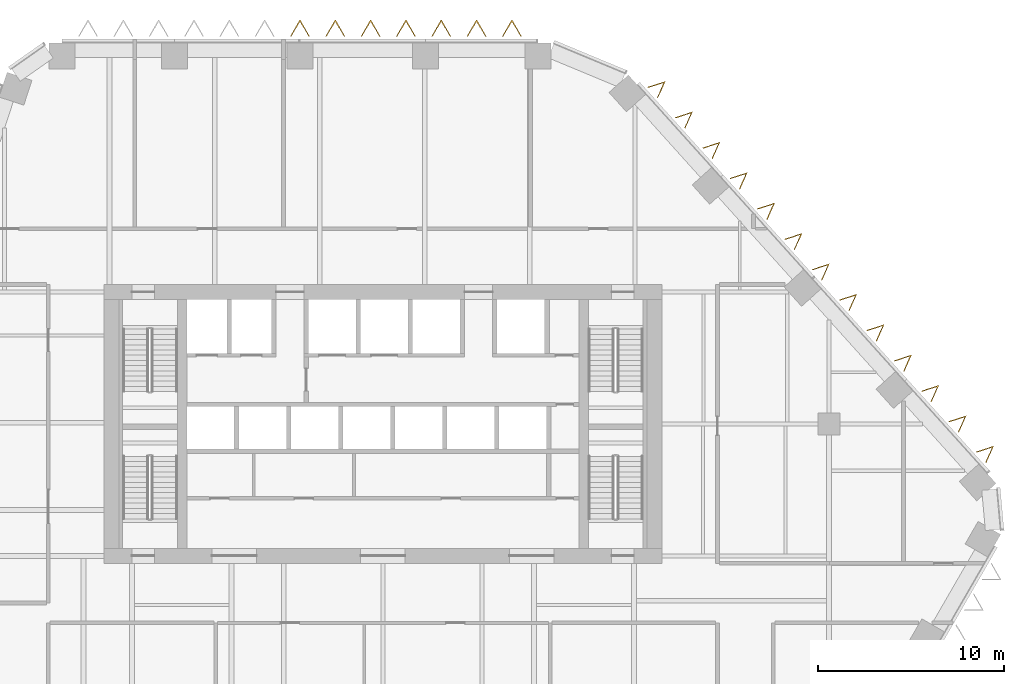
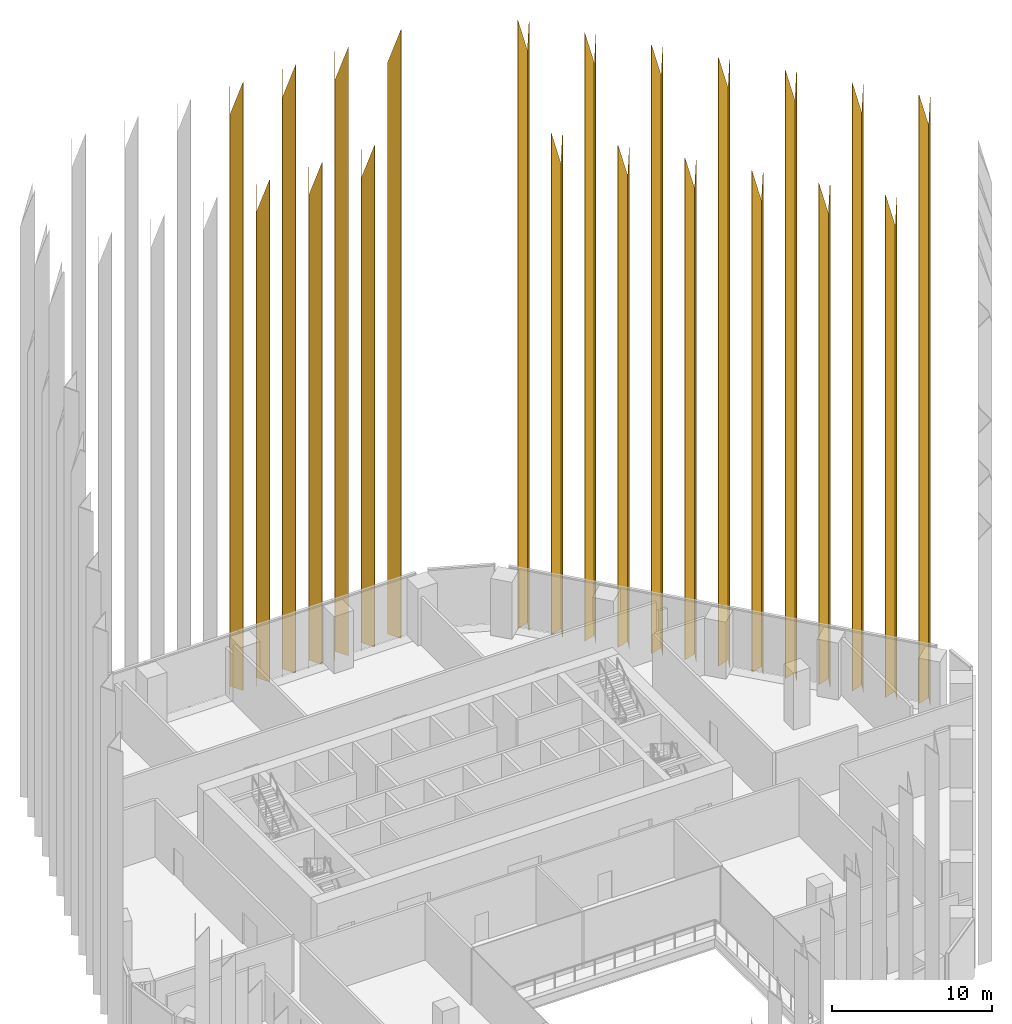
# One storey, part 18 of 18: 20 coverings.
"""IFC4 building model written with IfcOpenShell, lengths in metres."""

from ifc_helpers import new_model, si_unit, direction, frame, origin, place, context, subcontext, project, spatial, polyline, outline, faceted_brep, material, material_profile, profile_set, type_object, element, save


model = new_model("IFC4")

# Units and contexts
model_context = context("Model", 3, precision=1e-05, world=origin(), true_north=direction((0.0, 1.0)))
body_context = subcontext(model_context, "Body", "Model", "MODEL_VIEW")
ifc_project = project(units=[si_unit("LENGTHUNIT", "METRE"), si_unit("AREAUNIT", "SQUARE_METRE"), si_unit("VOLUMEUNIT", "CUBIC_METRE"), si_unit("PLANEANGLEUNIT", "RADIAN"), si_unit("MASSUNIT", "GRAM", prefix="KILO")], contexts=[model_context])

# Site, building, storey
site_placement = place(None, origin())
site = spatial("IfcSite", under=ifc_project, at=site_placement, CompositionType="ELEMENT")
building_placement = place(site_placement, origin())
building = spatial("IfcBuilding", under=site, at=building_placement, Name="Isthmus Gate Tower", CompositionType="ELEMENT")
storey_placement = place(building_placement, frame((0.0, 0.0, 166.300048828125)))
storey = spatial("IfcBuildingStorey", under=building, at=storey_placement, Name="L41", CompositionType="ELEMENT", Elevation=166.300048828125)

# Coverings
ifc_material_1 = material(Name="Structural steel ASTM A572 Gr 50, white paint system", Category="steel")
ifc_material_profile_1 = material_profile(ifc_material_1, outline(polyline([(0.0, -0.391845703125), (0.8798828125, 0.0), (0.0, 0.391845703125), (0.0, 0.35888671875), (0.80615234375, 0.0), (0.0, -0.35888671875), (0.0, -0.391845703125)])), Name="V880")
ifc_profile_set_1 = profile_set([ifc_material_profile_1], Name="Structural steel ASTM A572 Gr 50, white paint system")
covering_type_1 = type_object("IfcCoveringType", Name="FIN V 880 DEEP", PredefinedType="CLADDING", material=ifc_profile_set_1)
covering_1_placement = place(storey_placement, frame((0.0, 0.0, -166.300048828125)))
element("IfcCovering", 1, at=covering_1_placement, inside=storey, type_object=covering_type_1, Name="FIN", ObjectType="FIN", PredefinedType="CLADDING", context=body_context, shape_type="Brep", body=[
    faceted_brep([(32.425537109375, 5.44189453125, 165.89990234375), (32.784423828125, 6.248291015625, 165.89990234375), (31.945068359375, 5.9755859375, 165.89990234375), (31.923095703125, 6.0, 165.89990234375), (32.83935546875, 6.297607421875, 165.89990234375), (32.447509765625, 5.41748046875, 165.89990234375), (32.447509765625, 5.41748046875, 212.39990234375), (32.83935546875, 6.297607421875, 209.39990234375), (31.923095703125, 6.0, 212.39990234375), (31.945068359375, 5.9755859375, 212.39990234375), (32.784423828125, 6.248291015625, 209.6513671875), (32.425537109375, 5.44189453125, 212.39990234375)], [[[0, 1, 2, 3, 4, 5]], [[6, 7, 8, 9, 10, 11]], [[5, 4, 7, 6]], [[4, 3, 8, 7]], [[3, 2, 9, 8]], [[2, 1, 10, 9]], [[1, 0, 11, 10]], [[0, 5, 6, 11]]]),
])
covering_2_placement = place(storey_placement, frame((0.0, 0.0, -166.300048828125)))
element("IfcCovering", 2, at=covering_2_placement, inside=storey, type_object=covering_type_1, Name="FIN", ObjectType="FIN", PredefinedType="CLADDING", context=body_context, shape_type="Brep", body=[
    faceted_brep([(30.953369140625, 7.07666015625, 165.89990234375), (31.312255859375, 7.883056640625, 165.89990234375), (30.472900390625, 7.6103515625, 165.89990234375), (30.450927734375, 7.634765625, 165.89990234375), (31.3671875, 7.932373046875, 165.89990234375), (30.975341796875, 7.05224609375, 165.89990234375), (30.975341796875, 7.05224609375, 204.25), (31.3671875, 7.932373046875, 201.25), (30.450927734375, 7.634765625, 204.25), (30.472900390625, 7.6103515625, 204.25), (31.312255859375, 7.883056640625, 201.50146484375), (30.953369140625, 7.07666015625, 204.25)], [[[0, 1, 2, 3, 4, 5]], [[6, 7, 8, 9, 10, 11]], [[5, 4, 7, 6]], [[4, 3, 8, 7]], [[3, 2, 9, 8]], [[2, 1, 10, 9]], [[1, 0, 11, 10]], [[0, 5, 6, 11]]]),
])
covering_3_placement = place(storey_placement, frame((0.0, 0.0, -166.300048828125)))
element("IfcCovering", 3, at=covering_3_placement, inside=storey, type_object=covering_type_1, Name="FIN", ObjectType="FIN", PredefinedType="CLADDING", context=body_context, shape_type="Brep", body=[
    faceted_brep([(29.481201171875, 8.711669921875, 165.89990234375), (29.840087890625, 9.51806640625, 165.89990234375), (29.000732421875, 9.245361328125, 165.89990234375), (28.978759765625, 9.269775390625, 165.89990234375), (29.89501953125, 9.5673828125, 165.89990234375), (29.503173828125, 8.687255859375, 165.89990234375), (29.503173828125, 8.687255859375, 212.39990234375), (29.89501953125, 9.5673828125, 209.39990234375), (28.978759765625, 9.269775390625, 212.39990234375), (29.000732421875, 9.245361328125, 212.39990234375), (29.840087890625, 9.51806640625, 209.6513671875), (29.481201171875, 8.711669921875, 212.39990234375)], [[[0, 1, 2, 3, 4, 5]], [[6, 7, 8, 9, 10, 11]], [[5, 4, 7, 6]], [[4, 3, 8, 7]], [[3, 2, 9, 8]], [[2, 1, 10, 9]], [[1, 0, 11, 10]], [[0, 5, 6, 11]]]),
])
covering_4_placement = place(storey_placement, frame((0.0, 0.0, -166.300048828125)))
element("IfcCovering", 4, at=covering_4_placement, inside=storey, type_object=covering_type_1, Name="FIN", ObjectType="FIN", PredefinedType="CLADDING", context=body_context, shape_type="Brep", body=[
    faceted_brep([(28.00927734375, 10.346435546875, 165.89990234375), (28.3681640625, 11.15283203125, 165.89990234375), (27.52880859375, 10.880126953125, 165.89990234375), (27.5068359375, 10.904541015625, 165.89990234375), (28.423095703125, 11.2021484375, 165.89990234375), (28.03125, 10.322021484375, 165.89990234375), (28.03125, 10.322021484375, 204.25), (28.423095703125, 11.2021484375, 201.25), (27.5068359375, 10.904541015625, 204.25), (27.52880859375, 10.880126953125, 204.25), (28.3681640625, 11.15283203125, 201.50146484375), (28.00927734375, 10.346435546875, 204.25)], [[[0, 1, 2, 3, 4, 5]], [[6, 7, 8, 9, 10, 11]], [[5, 4, 7, 6]], [[4, 3, 8, 7]], [[3, 2, 9, 8]], [[2, 1, 10, 9]], [[1, 0, 11, 10]], [[0, 5, 6, 11]]]),
])
covering_5_placement = place(storey_placement, frame((0.0, 0.0, -166.300048828125)))
element("IfcCovering", 5, at=covering_5_placement, inside=storey, type_object=covering_type_1, Name="FIN", ObjectType="FIN", PredefinedType="CLADDING", context=body_context, shape_type="Brep", body=[
    faceted_brep([(26.537109375, 11.9814453125, 165.89990234375), (26.89599609375, 12.787841796875, 165.89990234375), (26.056640625, 12.51513671875, 165.89990234375), (26.03466796875, 12.53955078125, 165.89990234375), (26.950927734375, 12.837158203125, 165.89990234375), (26.55908203125, 11.95703125, 165.89990234375), (26.55908203125, 11.95703125, 212.39990234375), (26.950927734375, 12.837158203125, 209.39990234375), (26.03466796875, 12.53955078125, 212.39990234375), (26.056640625, 12.51513671875, 212.39990234375), (26.89599609375, 12.787841796875, 209.6513671875), (26.537109375, 11.9814453125, 212.39990234375)], [[[0, 1, 2, 3, 4, 5]], [[6, 7, 8, 9, 10, 11]], [[5, 4, 7, 6]], [[4, 3, 8, 7]], [[3, 2, 9, 8]], [[2, 1, 10, 9]], [[1, 0, 11, 10]], [[0, 5, 6, 11]]]),
])
covering_6_placement = place(storey_placement, frame((0.0, 0.0, -166.300048828125)))
element("IfcCovering", 6, at=covering_6_placement, inside=storey, type_object=covering_type_1, Name="FIN", ObjectType="FIN", PredefinedType="CLADDING", context=body_context, shape_type="Brep", body=[
    faceted_brep([(25.06494140625, 13.616455078125, 165.89990234375), (25.423828125, 14.4228515625, 165.89990234375), (24.58447265625, 14.150146484375, 165.89990234375), (24.5625, 14.174560546875, 165.89990234375), (25.478759765625, 14.47216796875, 165.89990234375), (25.0869140625, 13.592041015625, 165.89990234375), (25.0869140625, 13.592041015625, 204.25), (25.478759765625, 14.47216796875, 201.25), (24.5625, 14.174560546875, 204.25), (24.58447265625, 14.150146484375, 204.25), (25.423828125, 14.4228515625, 201.50146484375), (25.06494140625, 13.616455078125, 204.25)], [[[0, 1, 2, 3, 4, 5]], [[6, 7, 8, 9, 10, 11]], [[5, 4, 7, 6]], [[4, 3, 8, 7]], [[3, 2, 9, 8]], [[2, 1, 10, 9]], [[1, 0, 11, 10]], [[0, 5, 6, 11]]]),
])
covering_7_placement = place(storey_placement, frame((0.0, 0.0, -166.300048828125)))
element("IfcCovering", 7, at=covering_7_placement, inside=storey, type_object=covering_type_1, Name="FIN", ObjectType="FIN", PredefinedType="CLADDING", context=body_context, shape_type="Brep", body=[
    faceted_brep([(23.593017578125, 15.251220703125, 165.89990234375), (23.951904296875, 16.0576171875, 165.89990234375), (23.112548828125, 15.784912109375, 165.89990234375), (23.090576171875, 15.809326171875, 165.89990234375), (24.0068359375, 16.10693359375, 165.89990234375), (23.614990234375, 15.226806640625, 165.89990234375), (23.614990234375, 15.226806640625, 212.39990234375), (24.0068359375, 16.10693359375, 209.39990234375), (23.090576171875, 15.809326171875, 212.39990234375), (23.112548828125, 15.784912109375, 212.39990234375), (23.951904296875, 16.0576171875, 209.6513671875), (23.593017578125, 15.251220703125, 212.39990234375)], [[[0, 1, 2, 3, 4, 5]], [[6, 7, 8, 9, 10, 11]], [[5, 4, 7, 6]], [[4, 3, 8, 7]], [[3, 2, 9, 8]], [[2, 1, 10, 9]], [[1, 0, 11, 10]], [[0, 5, 6, 11]]]),
])
covering_8_placement = place(storey_placement, frame((0.0, 0.0, -166.300048828125)))
element("IfcCovering", 8, at=covering_8_placement, inside=storey, type_object=covering_type_1, Name="FIN", ObjectType="FIN", PredefinedType="CLADDING", context=body_context, shape_type="Brep", body=[
    faceted_brep([(22.120849609375, 16.88623046875, 165.89990234375), (22.479736328125, 17.692626953125, 165.89990234375), (21.640380859375, 17.419921875, 165.89990234375), (21.618408203125, 17.4443359375, 165.89990234375), (22.53466796875, 17.741943359375, 165.89990234375), (22.142822265625, 16.86181640625, 165.89990234375), (22.142822265625, 16.86181640625, 204.25), (22.53466796875, 17.741943359375, 201.25), (21.618408203125, 17.4443359375, 204.25), (21.640380859375, 17.419921875, 204.25), (22.479736328125, 17.692626953125, 201.50146484375), (22.120849609375, 16.88623046875, 204.25)], [[[0, 1, 2, 3, 4, 5]], [[6, 7, 8, 9, 10, 11]], [[5, 4, 7, 6]], [[4, 3, 8, 7]], [[3, 2, 9, 8]], [[2, 1, 10, 9]], [[1, 0, 11, 10]], [[0, 5, 6, 11]]]),
])
covering_9_placement = place(storey_placement, frame((0.0, 0.0, -166.300048828125)))
element("IfcCovering", 9, at=covering_9_placement, inside=storey, type_object=covering_type_1, Name="FIN", ObjectType="FIN", PredefinedType="CLADDING", context=body_context, shape_type="Brep", body=[
    faceted_brep([(20.648681640625, 18.521240234375, 165.89990234375), (21.007568359375, 19.32763671875, 165.89990234375), (20.168212890625, 19.054931640625, 165.89990234375), (20.146240234375, 19.079345703125, 165.89990234375), (21.0625, 19.376953125, 165.89990234375), (20.670654296875, 18.496826171875, 165.89990234375), (20.670654296875, 18.496826171875, 212.39990234375), (21.0625, 19.376953125, 209.39990234375), (20.146240234375, 19.079345703125, 212.39990234375), (20.168212890625, 19.054931640625, 212.39990234375), (21.007568359375, 19.32763671875, 209.6513671875), (20.648681640625, 18.521240234375, 212.39990234375)], [[[0, 1, 2, 3, 4, 5]], [[6, 7, 8, 9, 10, 11]], [[5, 4, 7, 6]], [[4, 3, 8, 7]], [[3, 2, 9, 8]], [[2, 1, 10, 9]], [[1, 0, 11, 10]], [[0, 5, 6, 11]]]),
])
covering_10_placement = place(storey_placement, frame((0.0, 0.0, -166.300048828125)))
element("IfcCovering", 10, at=covering_10_placement, inside=storey, type_object=covering_type_1, Name="FIN", ObjectType="FIN", PredefinedType="CLADDING", context=body_context, shape_type="Brep", body=[
    faceted_brep([(19.1767578125, 20.156005859375, 165.89990234375), (19.53564453125, 20.96240234375, 165.89990234375), (18.6962890625, 20.689697265625, 165.89990234375), (18.67431640625, 20.714111328125, 165.89990234375), (19.590576171875, 21.01171875, 165.89990234375), (19.19873046875, 20.131591796875, 165.89990234375), (19.19873046875, 20.131591796875, 204.25), (19.590576171875, 21.01171875, 201.25), (18.67431640625, 20.714111328125, 204.25), (18.6962890625, 20.689697265625, 204.25), (19.53564453125, 20.96240234375, 201.50146484375), (19.1767578125, 20.156005859375, 204.25)], [[[0, 1, 2, 3, 4, 5]], [[6, 7, 8, 9, 10, 11]], [[5, 4, 7, 6]], [[4, 3, 8, 7]], [[3, 2, 9, 8]], [[2, 1, 10, 9]], [[1, 0, 11, 10]], [[0, 5, 6, 11]]]),
])
covering_11_placement = place(storey_placement, frame((0.0, 0.0, -166.300048828125)))
element("IfcCovering", 11, at=covering_11_placement, inside=storey, type_object=covering_type_1, Name="FIN", ObjectType="FIN", PredefinedType="CLADDING", context=body_context, shape_type="Brep", body=[
    faceted_brep([(17.70458984375, 21.791015625, 165.89990234375), (18.0634765625, 22.597412109375, 165.89990234375), (17.22412109375, 22.32470703125, 165.89990234375), (17.2021484375, 22.34912109375, 165.89990234375), (18.118408203125, 22.646728515625, 165.89990234375), (17.7265625, 21.7666015625, 165.89990234375), (17.7265625, 21.7666015625, 212.39990234375), (18.118408203125, 22.646728515625, 209.39990234375), (17.2021484375, 22.34912109375, 212.39990234375), (17.22412109375, 22.32470703125, 212.39990234375), (18.0634765625, 22.597412109375, 209.6513671875), (17.70458984375, 21.791015625, 212.39990234375)], [[[0, 1, 2, 3, 4, 5]], [[6, 7, 8, 9, 10, 11]], [[5, 4, 7, 6]], [[4, 3, 8, 7]], [[3, 2, 9, 8]], [[2, 1, 10, 9]], [[1, 0, 11, 10]], [[0, 5, 6, 11]]]),
])
covering_12_placement = place(storey_placement, frame((0.0, 0.0, -166.300048828125)))
element("IfcCovering", 12, at=covering_12_placement, inside=storey, type_object=covering_type_1, Name="FIN", ObjectType="FIN", PredefinedType="CLADDING", context=body_context, shape_type="Brep", body=[
    faceted_brep([(16.232421875, 23.42578125, 165.89990234375), (16.59130859375, 24.232177734375, 165.89990234375), (15.751953125, 23.95947265625, 165.89990234375), (15.72998046875, 23.98388671875, 165.89990234375), (16.646240234375, 24.281494140625, 165.89990234375), (16.25439453125, 23.4013671875, 165.89990234375), (16.25439453125, 23.4013671875, 204.25), (16.646240234375, 24.281494140625, 201.25), (15.72998046875, 23.98388671875, 204.25), (15.751953125, 23.95947265625, 204.25), (16.59130859375, 24.232177734375, 201.50146484375), (16.232421875, 23.42578125, 204.25)], [[[0, 1, 2, 3, 4, 5]], [[6, 7, 8, 9, 10, 11]], [[5, 4, 7, 6]], [[4, 3, 8, 7]], [[3, 2, 9, 8]], [[2, 1, 10, 9]], [[1, 0, 11, 10]], [[0, 5, 6, 11]]]),
])
covering_13_placement = place(storey_placement, frame((0.0, 0.0, -166.300048828125)))
element("IfcCovering", 13, at=covering_13_placement, inside=storey, type_object=covering_type_1, Name="FIN", ObjectType="FIN", PredefinedType="CLADDING", context=body_context, shape_type="Brep", body=[
    faceted_brep([(14.760498046875, 25.060791015625, 165.89990234375), (15.119384765625, 25.8671875, 165.89990234375), (14.280029296875, 25.594482421875, 165.89990234375), (14.258056640625, 25.618896484375, 165.89990234375), (15.17431640625, 25.91650390625, 165.89990234375), (14.782470703125, 25.036376953125, 165.89990234375), (14.782470703125, 25.036376953125, 212.39990234375), (15.17431640625, 25.91650390625, 209.39990234375), (14.258056640625, 25.618896484375, 212.39990234375), (14.280029296875, 25.594482421875, 212.39990234375), (15.119384765625, 25.8671875, 209.6513671875), (14.760498046875, 25.060791015625, 212.39990234375)], [[[0, 1, 2, 3, 4, 5]], [[6, 7, 8, 9, 10, 11]], [[5, 4, 7, 6]], [[4, 3, 8, 7]], [[3, 2, 9, 8]], [[2, 1, 10, 9]], [[1, 0, 11, 10]], [[0, 5, 6, 11]]]),
])
ifc_material_2 = material(Name="Structural steel ASTM A572 Gr 50, white paint system", Category="steel")
ifc_material_profile_2 = material_profile(ifc_material_2, outline(polyline([(0.0, -0.508056640625), (0.8798828125, 0.0), (0.0, 0.508056640625), (0.0, 0.473388671875), (0.820068359375, 0.0), (0.0, -0.473388671875), (0.0, -0.508056640625)])), Name="V880W")
ifc_profile_set_2 = profile_set([ifc_material_profile_2], Name="Structural steel ASTM A572 Gr 50, white paint system")
covering_type_2 = type_object("IfcCoveringType", Name="FIN V 880 DEEP WIDE", PredefinedType="CLADDING", material=ifc_profile_set_2)
covering_14_placement = place(storey_placement, frame((0.0, 0.0, -166.300048828125)))
element("IfcCovering", 14, at=covering_14_placement, inside=storey, type_object=covering_type_2, Name="FIN", ObjectType="FIN", PredefinedType="CLADDING", context=body_context, shape_type="Brep", body=[
    faceted_brep([(7.41162109375, 28.35009765625, 165.89990234375), (6.938232421875, 29.170166015625, 165.89990234375), (6.46484375, 28.35009765625, 165.89990234375), (6.43017578125, 28.35009765625, 165.89990234375), (6.938232421875, 29.22998046875, 165.89990234375), (7.4462890625, 28.35009765625, 165.89990234375), (7.4462890625, 28.35009765625, 212.39990234375), (6.938232421875, 29.22998046875, 209.39990234375), (6.43017578125, 28.35009765625, 212.39990234375), (6.46484375, 28.35009765625, 212.39990234375), (6.938232421875, 29.170166015625, 209.6044921875), (7.41162109375, 28.35009765625, 212.39990234375)], [[[0, 1, 2, 3, 4, 5]], [[6, 7, 8, 9, 10, 11]], [[5, 4, 7, 6]], [[4, 3, 8, 7]], [[3, 2, 9, 8]], [[2, 1, 10, 9]], [[1, 0, 11, 10]], [[0, 5, 6, 11]]]),
])
covering_15_placement = place(storey_placement, frame((0.0, 0.0, -166.300048828125)))
element("IfcCovering", 15, at=covering_15_placement, inside=storey, type_object=covering_type_2, Name="FIN", ObjectType="FIN", PredefinedType="CLADDING", context=body_context, shape_type="Brep", body=[
    faceted_brep([(5.51171875, 28.35009765625, 165.89990234375), (5.038330078125, 29.170166015625, 165.89990234375), (4.56494140625, 28.35009765625, 165.89990234375), (4.5302734375, 28.35009765625, 165.89990234375), (5.038330078125, 29.22998046875, 165.89990234375), (5.54638671875, 28.35009765625, 165.89990234375), (5.54638671875, 28.35009765625, 204.25), (5.038330078125, 29.22998046875, 201.25), (4.5302734375, 28.35009765625, 204.25), (4.56494140625, 28.35009765625, 204.25), (5.038330078125, 29.170166015625, 201.45458984375), (5.51171875, 28.35009765625, 204.25)], [[[0, 1, 2, 3, 4, 5]], [[6, 7, 8, 9, 10, 11]], [[5, 4, 7, 6]], [[4, 3, 8, 7]], [[3, 2, 9, 8]], [[2, 1, 10, 9]], [[1, 0, 11, 10]], [[0, 5, 6, 11]]]),
])
covering_16_placement = place(storey_placement, frame((0.0, 0.0, -166.300048828125)))
element("IfcCovering", 16, at=covering_16_placement, inside=storey, type_object=covering_type_2, Name="FIN", ObjectType="FIN", PredefinedType="CLADDING", context=body_context, shape_type="Brep", body=[
    faceted_brep([(3.611572265625, 28.35009765625, 165.89990234375), (3.13818359375, 29.170166015625, 165.89990234375), (2.664794921875, 28.35009765625, 165.89990234375), (2.630126953125, 28.35009765625, 165.89990234375), (3.13818359375, 29.22998046875, 165.89990234375), (3.646240234375, 28.35009765625, 165.89990234375), (3.646240234375, 28.35009765625, 212.39990234375), (3.13818359375, 29.22998046875, 209.39990234375), (2.630126953125, 28.35009765625, 212.39990234375), (2.664794921875, 28.35009765625, 212.39990234375), (3.13818359375, 29.170166015625, 209.6044921875), (3.611572265625, 28.35009765625, 212.39990234375)], [[[0, 1, 2, 3, 4, 5]], [[6, 7, 8, 9, 10, 11]], [[5, 4, 7, 6]], [[4, 3, 8, 7]], [[3, 2, 9, 8]], [[2, 1, 10, 9]], [[1, 0, 11, 10]], [[0, 5, 6, 11]]]),
])
covering_17_placement = place(storey_placement, frame((0.0, 0.0, -166.300048828125)))
element("IfcCovering", 17, at=covering_17_placement, inside=storey, type_object=covering_type_2, Name="FIN", ObjectType="FIN", PredefinedType="CLADDING", context=body_context, shape_type="Brep", body=[
    faceted_brep([(1.711669921875, 28.35009765625, 165.89990234375), (1.23828125, 29.170166015625, 165.89990234375), (0.764892578125, 28.35009765625, 165.89990234375), (0.730224609375, 28.35009765625, 165.89990234375), (1.23828125, 29.22998046875, 165.89990234375), (1.746337890625, 28.35009765625, 165.89990234375), (1.746337890625, 28.35009765625, 204.25), (1.23828125, 29.22998046875, 201.25), (0.730224609375, 28.35009765625, 204.25), (0.764892578125, 28.35009765625, 204.25), (1.23828125, 29.170166015625, 201.45458984375), (1.711669921875, 28.35009765625, 204.25)], [[[0, 1, 2, 3, 4, 5]], [[6, 7, 8, 9, 10, 11]], [[5, 4, 7, 6]], [[4, 3, 8, 7]], [[3, 2, 9, 8]], [[2, 1, 10, 9]], [[1, 0, 11, 10]], [[0, 5, 6, 11]]]),
])
covering_18_placement = place(storey_placement, frame((0.0, 0.0, -166.300048828125)))
element("IfcCovering", 18, at=covering_18_placement, inside=storey, type_object=covering_type_2, Name="FIN", ObjectType="FIN", PredefinedType="CLADDING", context=body_context, shape_type="Brep", body=[
    faceted_brep([(-0.188232421875, 28.35009765625, 165.89990234375), (-0.66162109375, 29.170166015625, 165.89990234375), (-1.135009765625, 28.35009765625, 165.89990234375), (-1.169677734375, 28.35009765625, 165.89990234375), (-0.66162109375, 29.22998046875, 165.89990234375), (-0.153564453125, 28.35009765625, 165.89990234375), (-0.153564453125, 28.35009765625, 212.39990234375), (-0.66162109375, 29.22998046875, 209.39990234375), (-1.169677734375, 28.35009765625, 212.39990234375), (-1.135009765625, 28.35009765625, 212.39990234375), (-0.66162109375, 29.170166015625, 209.6044921875), (-0.188232421875, 28.35009765625, 212.39990234375)], [[[0, 1, 2, 3, 4, 5]], [[6, 7, 8, 9, 10, 11]], [[5, 4, 7, 6]], [[4, 3, 8, 7]], [[3, 2, 9, 8]], [[2, 1, 10, 9]], [[1, 0, 11, 10]], [[0, 5, 6, 11]]]),
])
covering_19_placement = place(storey_placement, frame((0.0, 0.0, -166.300048828125)))
element("IfcCovering", 19, at=covering_19_placement, inside=storey, type_object=covering_type_2, Name="FIN", ObjectType="FIN", PredefinedType="CLADDING", context=body_context, shape_type="Brep", body=[
    faceted_brep([(-2.08837890625, 28.35009765625, 165.89990234375), (-2.561767578125, 29.170166015625, 165.89990234375), (-3.03515625, 28.35009765625, 165.89990234375), (-3.06982421875, 28.35009765625, 165.89990234375), (-2.561767578125, 29.22998046875, 165.89990234375), (-2.0537109375, 28.35009765625, 165.89990234375), (-2.0537109375, 28.35009765625, 204.25), (-2.561767578125, 29.22998046875, 201.25), (-3.06982421875, 28.35009765625, 204.25), (-3.03515625, 28.35009765625, 204.25), (-2.561767578125, 29.170166015625, 201.45458984375), (-2.08837890625, 28.35009765625, 204.25)], [[[0, 1, 2, 3, 4, 5]], [[6, 7, 8, 9, 10, 11]], [[5, 4, 7, 6]], [[4, 3, 8, 7]], [[3, 2, 9, 8]], [[2, 1, 10, 9]], [[1, 0, 11, 10]], [[0, 5, 6, 11]]]),
])
covering_20_placement = place(storey_placement, frame((0.0, 0.0, -166.300048828125)))
element("IfcCovering", 20, at=covering_20_placement, inside=storey, type_object=covering_type_2, Name="FIN", ObjectType="FIN", PredefinedType="CLADDING", context=body_context, shape_type="Brep", body=[
    faceted_brep([(-3.98828125, 28.35009765625, 165.89990234375), (-4.461669921875, 29.170166015625, 165.89990234375), (-4.93505859375, 28.35009765625, 165.89990234375), (-4.9697265625, 28.35009765625, 165.89990234375), (-4.461669921875, 29.22998046875, 165.89990234375), (-3.95361328125, 28.35009765625, 165.89990234375), (-3.95361328125, 28.35009765625, 212.39990234375), (-4.461669921875, 29.22998046875, 209.39990234375), (-4.9697265625, 28.35009765625, 212.39990234375), (-4.93505859375, 28.35009765625, 212.39990234375), (-4.461669921875, 29.170166015625, 209.6044921875), (-3.98828125, 28.35009765625, 212.39990234375)], [[[0, 1, 2, 3, 4, 5]], [[6, 7, 8, 9, 10, 11]], [[5, 4, 7, 6]], [[4, 3, 8, 7]], [[3, 2, 9, 8]], [[2, 1, 10, 9]], [[1, 0, 11, 10]], [[0, 5, 6, 11]]]),
])

save(model, "model.ifc")
